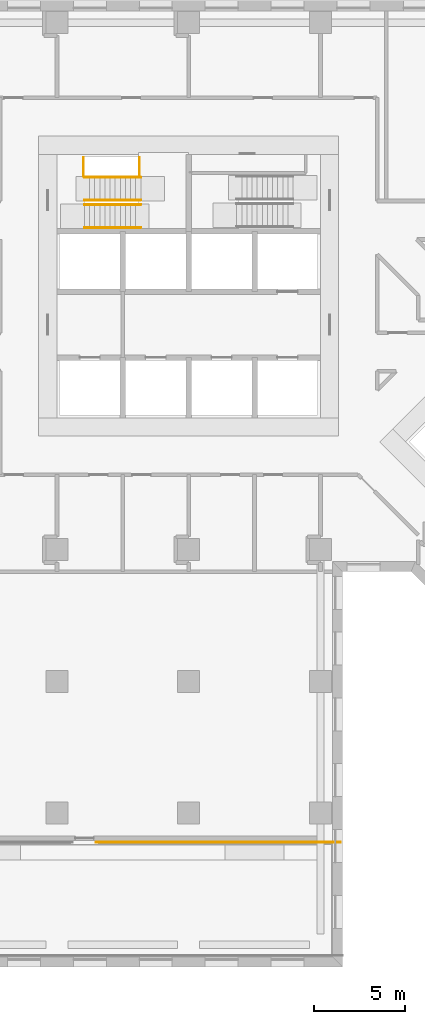
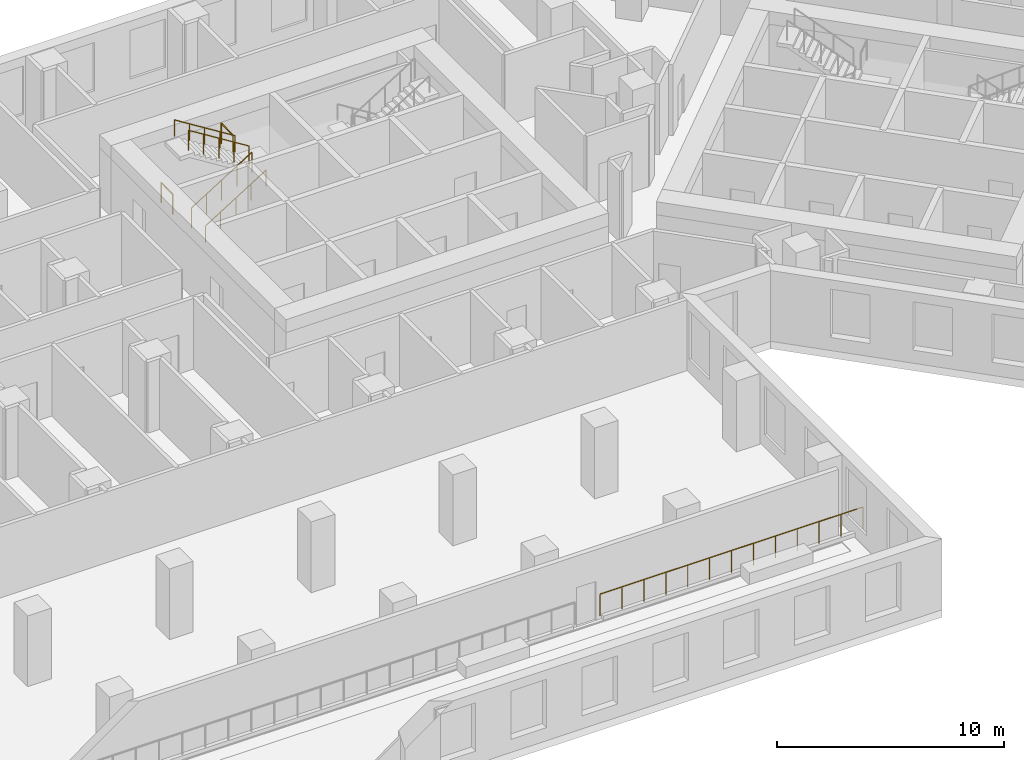
# One storey, part 12 of 14: 7 railings.
"""IFC4 building model written with IfcOpenShell, lengths in metres."""

from ifc_helpers import new_model, si_unit, direction, frame, origin, origin_2d, place, context, subcontext, project, spatial, circle, extrude, material, type_object, element, save


model = new_model("IFC4")

# Units and contexts
model_context = context("Model", 3, precision=1e-05, world=origin(), true_north=direction((0.0, 1.0)))
body_context = subcontext(model_context, "Body", "Model", "MODEL_VIEW")
ifc_project = project(units=[si_unit("LENGTHUNIT", "METRE"), si_unit("AREAUNIT", "SQUARE_METRE"), si_unit("VOLUMEUNIT", "CUBIC_METRE"), si_unit("PLANEANGLEUNIT", "RADIAN"), si_unit("MASSUNIT", "GRAM", prefix="KILO")], contexts=[model_context])

# Site, building, storey
site_placement = place(None, origin())
site = spatial("IfcSite", under=ifc_project, at=site_placement, CompositionType="ELEMENT")
building_placement = place(site_placement, origin())
building = spatial("IfcBuilding", under=site, at=building_placement, Name="Windrow Commons", CompositionType="ELEMENT")
storey_placement = place(building_placement, frame((0.0, 0.0, 10.2)))
storey = spatial("IfcBuildingStorey", under=building, at=storey_placement, Name="L02", CompositionType="ELEMENT", Elevation=10.2)

# Railings
ifc_material_1 = material(Name="Steel S355", Category="steel")
railing_type_1 = type_object("IfcRailingType", Name="Core stair guard 1100", PredefinedType="GUARDRAIL", material=ifc_material_1)
railing_1_placement = place(storey_placement, frame((59.1, 62.05, 0.175)))
element("IfcRailing", 1, at=railing_1_placement, inside=storey, type_object=railing_type_1, Name="L02 ST-A1 stair guard 1", PredefinedType="GUARDRAIL", context=body_context, shape_type="SweptSolid", body=[
    extrude(circle(Radius=0.024, at=origin_2d()), frame((0.0, 0.0, 1.076), z_axis=(0.847998304, 0.0, 0.52999894), x_axis=(0.0, 1.0, 0.0)), (0.0, 0.0, 1.0), 3.6321),
    extrude(circle(Radius=0.021, at=origin_2d()), origin(), (0.0, 0.0, 1.0), 1.052),
    extrude(circle(Radius=0.021, at=origin_2d()), frame((0.77, 0.0, 0.4813)), (0.0, 0.0, 1.0), 1.052),
    extrude(circle(Radius=0.021, at=origin_2d()), frame((1.54, 0.0, 0.9625)), (0.0, 0.0, 1.0), 1.052),
    extrude(circle(Radius=0.021, at=origin_2d()), frame((2.31, 0.0, 1.4438)), (0.0, 0.0, 1.0), 1.052),
    extrude(circle(Radius=0.021, at=origin_2d()), frame((3.08, 0.0, 1.925)), (0.0, 0.0, 1.0), 1.052),
])
railing_2_placement = place(storey_placement, frame((62.18, 62.3, 2.275)))
element("IfcRailing", 2, at=railing_2_placement, inside=storey, type_object=railing_type_1, Name="L02 ST-A1 stair guard 2", PredefinedType="GUARDRAIL", context=body_context, shape_type="SweptSolid", body=[
    extrude(circle(Radius=0.024, at=origin_2d()), frame((0.0, 0.0, 1.076), z_axis=(-0.847998304, 0.0, 0.52999894), x_axis=(0.0, -1.0, 0.0)), (0.0, 0.0, 1.0), 3.6321),
    extrude(circle(Radius=0.021, at=origin_2d()), origin(), (0.0, 0.0, 1.0), 1.052),
    extrude(circle(Radius=0.021, at=origin_2d()), frame((-0.77, 0.0, 0.4813)), (0.0, 0.0, 1.0), 1.052),
    extrude(circle(Radius=0.021, at=origin_2d()), frame((-1.54, 0.0, 0.9625)), (0.0, 0.0, 1.0), 1.052),
    extrude(circle(Radius=0.021, at=origin_2d()), frame((-2.31, 0.0, 1.4438)), (0.0, 0.0, 1.0), 1.052),
    extrude(circle(Radius=0.021, at=origin_2d()), frame((-3.08, 0.0, 1.925)), (0.0, 0.0, 1.0), 1.052),
])
for number, where, name in (
    (3, (59.05, 63.6, 0.0), "L02 ST-A1 stair guard 3"),
    (4, (62.11, 63.6, 2.1), "L02 ST-A1 stair guard 4"),
):
    element("IfcRailing", number, at=place(storey_placement, frame(where)), inside=storey, type_object=railing_type_1, Name=name, PredefinedType="GUARDRAIL", context=body_context, shape_type="SweptSolid", body=[
        extrude(circle(Radius=0.024, at=origin_2d()), frame((0.0, 0.0, 1.076), z_axis=(0.0, 1.0, 0.0), x_axis=(-1.0, 0.0, 0.0)), (0.0, 0.0, 1.0), 1.03),
        extrude(circle(Radius=0.021, at=origin_2d()), origin(), (0.0, 0.0, 1.0), 1.052),
        extrude(circle(Radius=0.021, at=origin_2d()), frame((0.0, 1.03, 0.0)), (0.0, 0.0, 1.0), 1.052),
    ])
ifc_material_2 = material(Name="Steel S355", Category="steel")
railing_type_2 = type_object("IfcRailingType", Name="Core stair handrail 900", PredefinedType="HANDRAIL", material=ifc_material_2)
railing_3_placement = place(storey_placement, frame((59.1, 60.8, 0.175)))
element("IfcRailing", 5, at=railing_3_placement, inside=storey, type_object=railing_type_2, Name="L02 ST-A1 stair handrail 1", PredefinedType="HANDRAIL", context=body_context, shape_type="SweptSolid", body=[
    extrude(circle(Radius=0.024, at=origin_2d()), frame((0.0, 0.0, 0.876), z_axis=(0.847998304, 0.0, 0.52999894), x_axis=(0.0, 1.0, 0.0)), (0.0, 0.0, 1.0), 3.6321),
    extrude(circle(Radius=0.021, at=origin_2d()), origin(), (0.0, 0.0, 1.0), 0.852),
    extrude(circle(Radius=0.021, at=origin_2d()), frame((0.77, 0.0, 0.4813)), (0.0, 0.0, 1.0), 0.852),
    extrude(circle(Radius=0.021, at=origin_2d()), frame((1.54, 0.0, 0.9625)), (0.0, 0.0, 1.0), 0.852),
    extrude(circle(Radius=0.021, at=origin_2d()), frame((2.31, 0.0, 1.4438)), (0.0, 0.0, 1.0), 0.852),
    extrude(circle(Radius=0.021, at=origin_2d()), frame((3.08, 0.0, 1.925)), (0.0, 0.0, 1.0), 0.852),
])
railing_4_placement = place(storey_placement, frame((62.18, 63.55, 2.275)))
element("IfcRailing", 6, at=railing_4_placement, inside=storey, type_object=railing_type_2, Name="L02 ST-A1 stair handrail 2", PredefinedType="HANDRAIL", context=body_context, shape_type="SweptSolid", body=[
    extrude(circle(Radius=0.024, at=origin_2d()), frame((0.0, 0.0, 0.876), z_axis=(-0.847998304, 0.0, 0.52999894), x_axis=(0.0, -1.0, 0.0)), (0.0, 0.0, 1.0), 3.6321),
    extrude(circle(Radius=0.021, at=origin_2d()), origin(), (0.0, 0.0, 1.0), 0.852),
    extrude(circle(Radius=0.021, at=origin_2d()), frame((-0.77, 0.0, 0.4813)), (0.0, 0.0, 1.0), 0.852),
    extrude(circle(Radius=0.021, at=origin_2d()), frame((-1.54, 0.0, 0.9625)), (0.0, 0.0, 1.0), 0.852),
    extrude(circle(Radius=0.021, at=origin_2d()), frame((-2.31, 0.0, 1.4438)), (0.0, 0.0, 1.0), 0.852),
    extrude(circle(Radius=0.021, at=origin_2d()), frame((-3.08, 0.0, 1.925)), (0.0, 0.0, 1.0), 0.852),
])
ifc_material_3 = material(Name="Stainless steel S316 balustrade with toughened glass infill", Category="steel")
railing_type_3 = type_object("IfcRailingType", Name="Terrace guard 1200 podium", PredefinedType="BALUSTRADE", material=ifc_material_3)
railing_5_placement = place(storey_placement, frame((73.1, 27.2, 0.25)))
element("IfcRailing", 7, at=railing_5_placement, inside=storey, type_object=railing_type_3, Name="Guard TR-L02-1.1", PredefinedType="BALUSTRADE", context=body_context, shape_type="SweptSolid", body=[
    extrude(circle(Radius=0.025, at=origin_2d()), frame((0.0, 0.0, 1.175), z_axis=(-1.0, 0.0, 0.0), x_axis=(0.0, -1.0, 0.0)), (0.0, 0.0, 1.0), 13.35),
    extrude(circle(Radius=0.02, at=origin_2d()), origin(), (0.0, 0.0, 1.0), 1.15),
    extrude(circle(Radius=0.02, at=origin_2d()), frame((-1.1125, 0.0, 0.0)), (0.0, 0.0, 1.0), 1.15),
    extrude(circle(Radius=0.02, at=origin_2d()), frame((-2.225, 0.0, 0.0)), (0.0, 0.0, 1.0), 1.15),
    extrude(circle(Radius=0.02, at=origin_2d()), frame((-3.3375, 0.0, 0.0)), (0.0, 0.0, 1.0), 1.15),
    extrude(circle(Radius=0.02, at=origin_2d()), frame((-4.45, 0.0, 0.0)), (0.0, 0.0, 1.0), 1.15),
    extrude(circle(Radius=0.02, at=origin_2d()), frame((-5.5625, 0.0, 0.0)), (0.0, 0.0, 1.0), 1.15),
    extrude(circle(Radius=0.02, at=origin_2d()), frame((-6.675, 0.0, 0.0)), (0.0, 0.0, 1.0), 1.15),
    extrude(circle(Radius=0.02, at=origin_2d()), frame((-7.7875, 0.0, 0.0)), (0.0, 0.0, 1.0), 1.15),
    extrude(circle(Radius=0.02, at=origin_2d()), frame((-8.9, 0.0, 0.0)), (0.0, 0.0, 1.0), 1.15),
    extrude(circle(Radius=0.02, at=origin_2d()), frame((-10.0125, 0.0, 0.0)), (0.0, 0.0, 1.0), 1.15),
    extrude(circle(Radius=0.02, at=origin_2d()), frame((-11.125, 0.0, 0.0)), (0.0, 0.0, 1.0), 1.15),
    extrude(circle(Radius=0.02, at=origin_2d()), frame((-12.2375, 0.0, 0.0)), (0.0, 0.0, 1.0), 1.15),
    extrude(circle(Radius=0.02, at=origin_2d()), frame((-13.35, 0.0, 0.0)), (0.0, 0.0, 1.0), 1.15),
])

save(model, "model.ifc")
